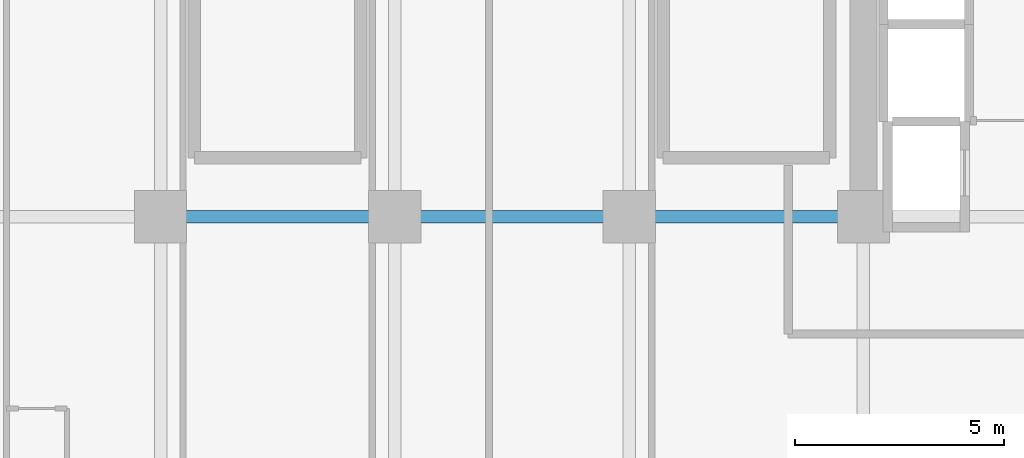
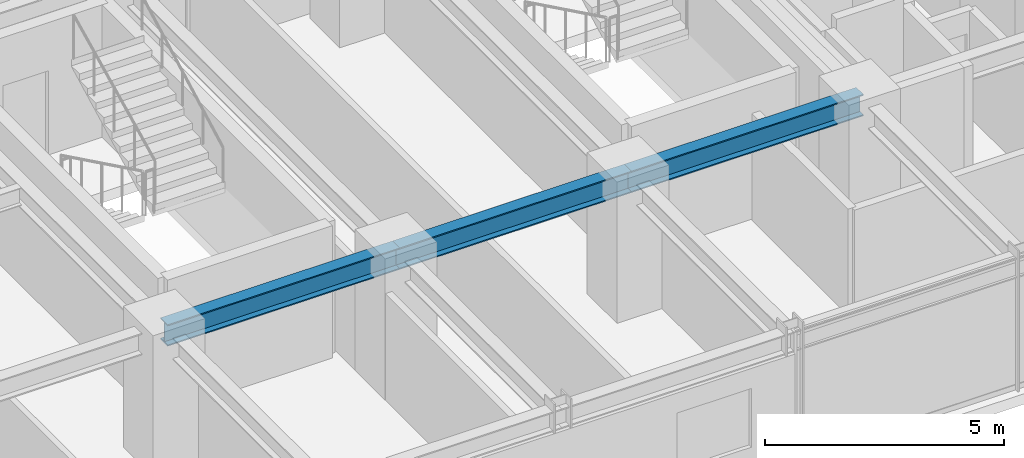
# One storey, part 6 of 33: 3 beams.
"""IFC4 building model written with IfcOpenShell, lengths in metres."""

from ifc_helpers import new_model, si_unit, direction, frame, origin, origin_2d, place, context, subcontext, project, spatial, i_section, extrude, source, transform, mapped, material, material_profile, profile_set, type_object, element, save


model = new_model("IFC4")

# Units and contexts
model_context = context("Model", 3, precision=1e-05, world=origin(), true_north=direction((0.0, 1.0)))
body_context = subcontext(model_context, "Body", "Model", "MODEL_VIEW")
ifc_project = project(units=[si_unit("LENGTHUNIT", "METRE"), si_unit("AREAUNIT", "SQUARE_METRE"), si_unit("VOLUMEUNIT", "CUBIC_METRE"), si_unit("PLANEANGLEUNIT", "RADIAN"), si_unit("MASSUNIT", "GRAM", prefix="KILO")], contexts=[model_context])

# Site, building, storey
site_placement = place(None, origin())
site = spatial("IfcSite", under=ifc_project, at=site_placement, CompositionType="ELEMENT")
building_placement = place(site_placement, origin())
building = spatial("IfcBuilding", under=site, at=building_placement, Name="Nahalor Promenade Grand Hotel", CompositionType="ELEMENT")
storey_placement = place(building_placement, frame((0.0, 0.0, 117.5)))
storey = spatial("IfcBuildingStorey", under=building, at=storey_placement, Name="L29", CompositionType="ELEMENT", Elevation=117.5)

# Beams
ifc_material = material(Name="Steel S355JR", Category="steel")
ifc_material_profile = material_profile(ifc_material, i_section(OverallWidth=0.3, OverallDepth=0.55, WebThickness=0.015, FlangeThickness=0.029, at=origin_2d()), Name="HEB 550")
ifc_profile_set = profile_set([ifc_material_profile], Name="Steel S355JR")
beam_type = type_object("IfcBeamType", Name="Beam-Girder-HEB550", PredefinedType="BEAM", material=ifc_profile_set)
shared_shape_1 = source(origin(), body_context, "Body", "SweptSolid", [
    extrude(i_section(OverallWidth=0.3, OverallDepth=0.55, WebThickness=0.015, FlangeThickness=0.029, at=origin_2d()), origin(), (0.0, 0.0, 1.0), 5.599853515625),
])
for number, where, z_axis, x_axis, name in (
    (1, (-8.39990234375, -17.0, 3.10498046875), (1.0, 0.0, 0.0), (0.0, 1.0, 0.0), "BM-L29-GX-0-2"),
    (2, (2.800048828125, -17.0, 3.10498046875), (1.0, 0.0, 0.0), (0.0, 1.0, 0.0), "BM-L29-GX-0-4"),
):
    element("IfcBeam", number, at=place(storey_placement, frame(where, z_axis=z_axis, x_axis=x_axis)), inside=storey, type_object=beam_type, Name=name, PredefinedType="BEAM", context=body_context, shape_type="MappedRepresentation", body=[
        mapped(shared_shape_1, transform((0.0, 0.0, 0.0), scale=1.0)),
    ])
shared_shape_2 = source(origin(), body_context, "Body", "SweptSolid", [
    extrude(i_section(OverallWidth=0.3, OverallDepth=0.55, WebThickness=0.015, FlangeThickness=0.029, at=origin_2d()), origin(), (0.0, 0.0, 1.0), 5.60009765625),
])
beam_placement = place(storey_placement, frame((-2.800048828125, -17.0, 3.10498046875), z_axis=(1.0, 0.0, 0.0), x_axis=(0.0, 1.0, 0.0)))
element("IfcBeam", 3, at=beam_placement, inside=storey, type_object=beam_type, Name="BM-L29-GX-0-3", PredefinedType="BEAM", context=body_context, shape_type="MappedRepresentation", body=[
    mapped(shared_shape_2, transform((0.0, 0.0, 0.0), scale=1.0)),
])

save(model, "model.ifc")
